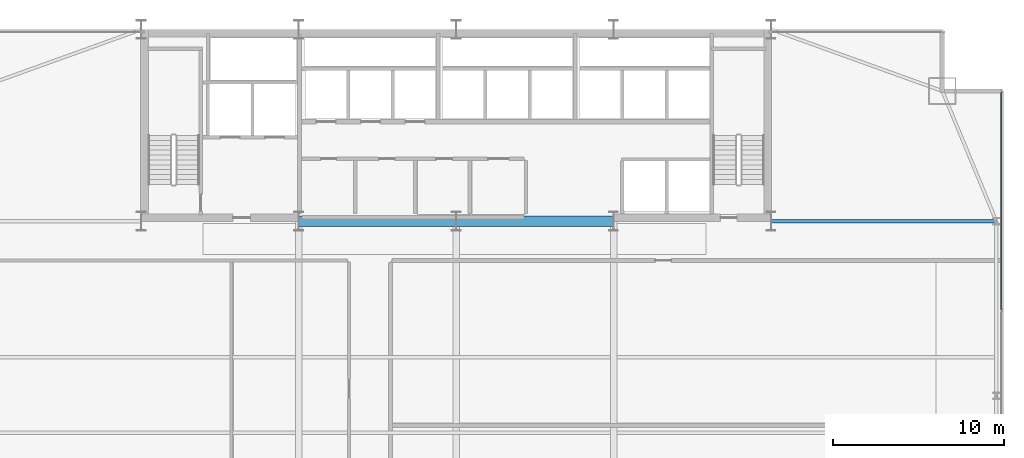
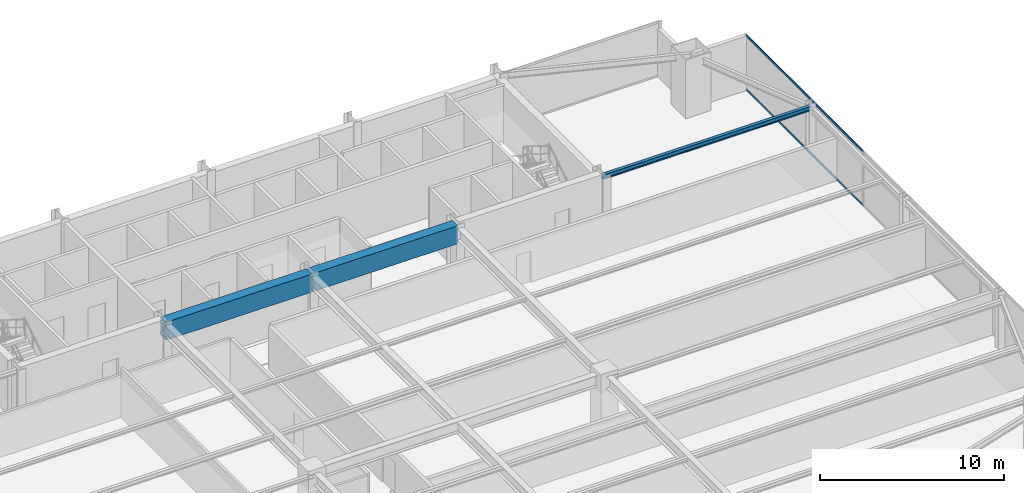
# One storey, part 21 of 29: 3 beams, 2 members, 1 element without a shape of its own.
"""IFC4 building model written with IfcOpenShell, lengths in metres."""

from ifc_helpers import new_model, si_unit, direction, frame, origin, origin_2d, place, context, subcontext, project, spatial, rectangle, hollow_rectangle, i_section, extrude, source, transform, mapped, material, layer, layer_set, material_profile, profile_set, type_object, type_shapes, element, aggregate, save


model = new_model("IFC4")

# Units and contexts
model_context = context("Model", 3, precision=1e-05, world=origin(), true_north=direction((0.0, 1.0)))
body_context = subcontext(model_context, "Body", "Model", "MODEL_VIEW")
ifc_project = project(units=[si_unit("LENGTHUNIT", "METRE"), si_unit("AREAUNIT", "SQUARE_METRE"), si_unit("VOLUMEUNIT", "CUBIC_METRE"), si_unit("PLANEANGLEUNIT", "RADIAN"), si_unit("MASSUNIT", "GRAM", prefix="KILO")], contexts=[model_context])

# Site, building, storey
site_placement = place(None, origin())
site = spatial("IfcSite", under=ifc_project, at=site_placement, CompositionType="ELEMENT")
building_placement = place(site_placement, origin())
building = spatial("IfcBuilding", under=site, at=building_placement, Name="Varnel Quay Broadcast Tower", CompositionType="ELEMENT")
storey_placement = place(building_placement, frame((0.0, 0.0, 74.39990234375)))
storey = spatial("IfcBuildingStorey", under=building, at=storey_placement, Name="L17", CompositionType="ELEMENT", Elevation=74.39990234375)

# Beams
ifc_material_1 = material(Name="Concrete CSA A23.3 C60/75", Category="concrete")
ifc_material_profile_1 = material_profile(ifc_material_1, rectangle(XDim=0.60009765625, YDim=1.199951171875, at=origin_2d()), Name="RC600X1200")
ifc_profile_set_1 = profile_set([ifc_material_profile_1], Name="Concrete CSA A23.3 C60/75")
beam_type_1 = type_object("IfcBeamType", Name="Beam_RC600X1200", PredefinedType="BEAM", material=ifc_profile_set_1)
shared_shape_1 = source(origin(), body_context, "Body", "SweptSolid", [
    extrude(rectangle(XDim=0.60009765625, YDim=1.199951171875, at=origin_2d()), origin(), (0.0, 0.0, 1.0), 9.159912109375),
])
type_shapes(beam_type_1, [shared_shape_1])
for number, where, z_axis, x_axis, name in (
    (1, (24.820068359375, 35.60009765625, 3.050048828125), (1.0, 0.0, 0.0), (0.0, 1.0, 0.0), "L17 Core Coupling Beam W"),
    (2, (34.02001953125, 35.60009765625, 3.050048828125), (1.0, 0.0, 0.0), (0.0, 1.0, 0.0), "L17 Core Coupling Beam E"),
):
    element("IfcBeam", number, at=place(storey_placement, frame(where, z_axis=z_axis, x_axis=x_axis)), inside=storey, type_object=beam_type_1, Name=name, PredefinedType="BEAM", context=body_context, shape_type="MappedRepresentation", body=[
        mapped(shared_shape_1, transform((0.0, 0.0, 0.0), x_axis=(1.0, 0.0, 0.0), y_axis=(0.0, 1.0, 0.0), z_axis=(0.0, 0.0, 1.0), scale=1.0)),
    ])
ifc_material_2 = material(Name="Structural Steel CSA G40.21 350W", Category="steel")
ifc_material_profile_2 = material_profile(ifc_material_2, i_section(OverallWidth=0.202880859375, OverallDepth=0.302978515625, WebThickness=0.007568359375, FlangeThickness=0.01318359375, FilletRadius=0.011962890625, at=origin_2d()), Name="W310X60")
ifc_profile_set_2 = profile_set([ifc_material_profile_2], Name="Structural Steel CSA G40.21 350W")
beam_type_2 = type_object("IfcBeamType", Name="Beam_W310X60", PredefinedType="JOIST", material=ifc_profile_set_2)
shared_shape_2 = source(origin(), body_context, "Body", "SweptSolid", [
    extrude(i_section(OverallWidth=0.202880859375, OverallDepth=0.302978515625, WebThickness=0.007568359375, FlangeThickness=0.01318359375, FilletRadius=0.011962890625, at=origin_2d()), origin(), (0.0, 0.0, 1.0), 13.110107421875),
])
type_shapes(beam_type_2, [shared_shape_2])
beam_placement = place(storey_placement, frame((52.419921875, 35.60009765625, 3.49853515625), z_axis=(1.0, 0.0, 0.0), x_axis=(0.0, 1.0, 0.0)))
element("IfcBeam", 3, at=beam_placement, inside=storey, type_object=beam_type_2, Name="L17 East Core Tie Joist", PredefinedType="JOIST", context=body_context, shape_type="MappedRepresentation", body=[
    mapped(shared_shape_2, transform((0.0, 0.0, 0.0), x_axis=(1.0, 0.0, 0.0), y_axis=(0.0, 1.0, 0.0), z_axis=(0.0, 0.0, 1.0), scale=1.0)),
])

# Curtain wall, members
ifc_material_3 = material(Name="Anodised Bronze Aluminium 6063-T6", Category="aluminium")
ifc_layer = layer(ifc_material_3, 0.18994140625, Name="Anodised Bronze Aluminium 6063-T6")
ifc_layer_set = layer_set([ifc_layer], Name="Anodised Bronze Aluminium 6063-T6")
curtain_wall_type = type_object("IfcCurtainWallType", Name="CW_LowerTower", PredefinedType="NOTDEFINED", material=ifc_layer_set)
curtain_wall_placement = place(storey_placement, origin())
curtain_wall = element("IfcCurtainWall", 4, at=curtain_wall_placement, inside=storey, type_object=curtain_wall_type, Name="L17 East Unitised Curtain Wall", PredefinedType="NOTDEFINED")
ifc_material_profile_3 = material_profile(ifc_material_3, hollow_rectangle(XDim=0.06005859375, YDim=0.14501953125, WallThickness=0.00341796875, at=origin_2d()), Name="ALU60X145X3.5")
ifc_profile_set_3 = profile_set([ifc_material_profile_3], Name="Anodised Bronze Aluminium 6063-T6")
member_type = type_object("IfcMemberType", Name="Tran_CWS-02", PredefinedType="USERDEFINED", material=ifc_profile_set_3)
shared_shape_3 = source(origin(), body_context, "Body", "SweptSolid", [
    extrude(hollow_rectangle(XDim=0.06005859375, YDim=0.14501953125, WallThickness=0.00341796875, at=origin_2d()), origin(), (0.0, 0.0, 1.0), 12.69482421875),
])
type_shapes(member_type, [shared_shape_3])
member_1_placement = place(storey_placement, frame((65.85009765625, 30.43505859375, 0.030029296875), z_axis=(0.0, 1.0, 0.0), x_axis=(-1.0, 0.0, 0.0)))
member_1 = element("IfcMember", 5, at=member_1_placement, type_object=member_type, Name="CWS-02 transom 3.1", ObjectType="TRANSOM", PredefinedType="USERDEFINED", context=body_context, shape_type="MappedRepresentation", body=[
    mapped(shared_shape_3, transform((0.0, 0.0, 0.0), x_axis=(1.0, 0.0, 0.0), y_axis=(0.0, 1.0, 0.0), z_axis=(0.0, 0.0, 1.0), scale=1.0)),
])
member_2_placement = place(storey_placement, frame((65.85009765625, 30.43505859375, 3.6201171875), z_axis=(0.0, 1.0, 0.0), x_axis=(-1.0, 0.0, 0.0)))
member_2 = element("IfcMember", 6, at=member_2_placement, type_object=member_type, Name="CWS-02 transom 3.2", ObjectType="TRANSOM", PredefinedType="USERDEFINED", context=body_context, shape_type="MappedRepresentation", body=[
    mapped(shared_shape_3, transform((0.0, 0.0, 0.0), x_axis=(1.0, 0.0, 0.0), y_axis=(0.0, 1.0, 0.0), z_axis=(0.0, 0.0, 1.0), scale=1.0)),
])
aggregate(curtain_wall, [member_1, member_2])

save(model, "model.ifc")
